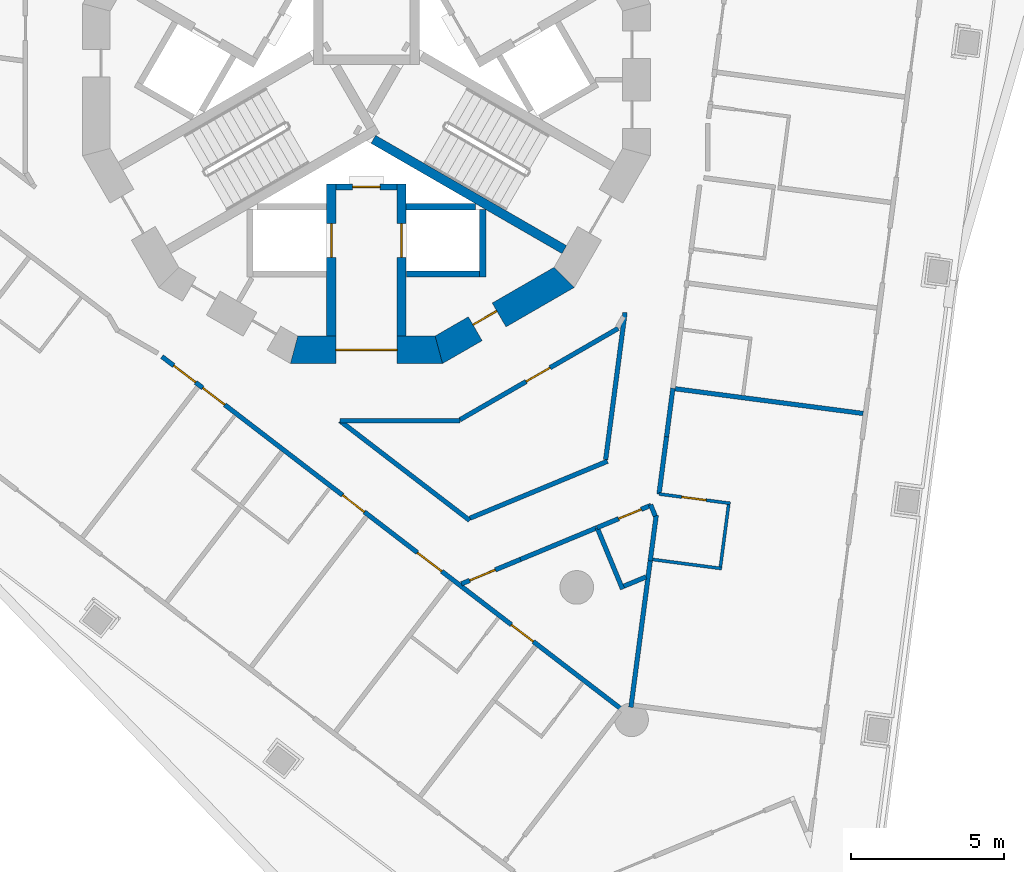
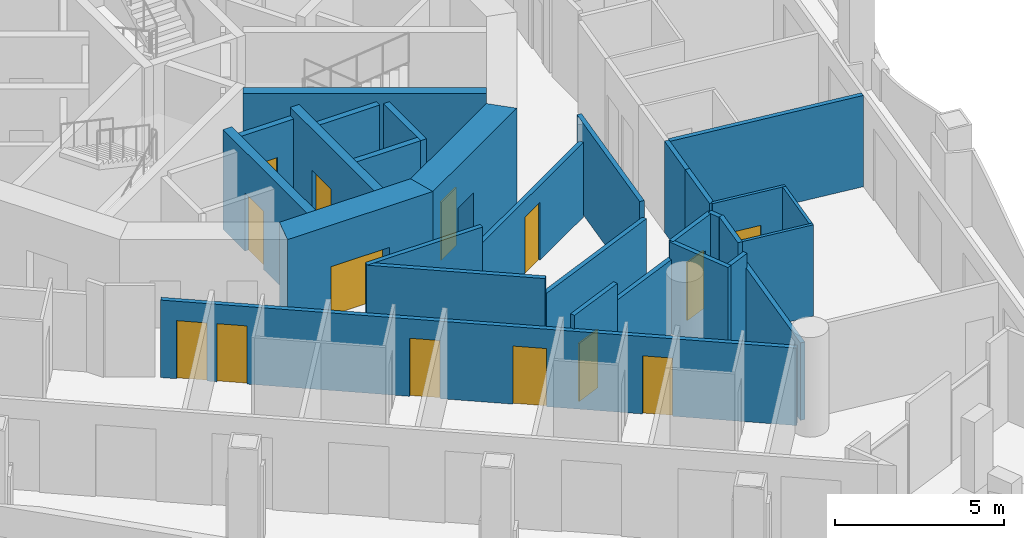
# One storey, part 4 of 19: 29 walls, 14 doors, 14 openings.
"""IFC4 building model written with IfcOpenShell, lengths in metres."""

from ifc_helpers import new_model, si_unit, direction, frame, frame_2d, origin, place, context, subcontext, project, spatial, polyline, rectangle, outline, extrude, material, layer, layer_set, type_object, element, fill, save


model = new_model("IFC4")

# Units and contexts
model_context = context("Model", 3, precision=1e-05, world=origin(), true_north=direction((0.0, 1.0)))
body_context = subcontext(model_context, "Body", "Model", "MODEL_VIEW")
ifc_project = project(units=[si_unit("LENGTHUNIT", "METRE"), si_unit("AREAUNIT", "SQUARE_METRE"), si_unit("VOLUMEUNIT", "CUBIC_METRE"), si_unit("PLANEANGLEUNIT", "RADIAN"), si_unit("MASSUNIT", "GRAM", prefix="KILO")], contexts=[model_context])

# Site, building, storey
site_placement = place(None, origin())
site = spatial("IfcSite", under=ifc_project, at=site_placement, CompositionType="ELEMENT")
building_placement = place(site_placement, origin())
building = spatial("IfcBuilding", under=site, at=building_placement, Name="Trine Commons Tower", CompositionType="ELEMENT")
storey_placement = place(building_placement, frame((0.0, 0.0, 124.199951171875)))
storey = spatial("IfcBuildingStorey", under=building, at=storey_placement, Name="L31", CompositionType="ELEMENT", Elevation=124.199951171875)

# Wall, opening, door
ifc_material_1 = material(Name="Fire-rated gypsum shaft wall system")
ifc_layer_1 = layer(ifc_material_1, 0.199951171875)
ifc_layer_set_1 = layer_set([ifc_layer_1], Name="Fire-rated gypsum shaft wall system")
wall_type_1 = type_object("IfcWallType", Name="Lobby end wall 200 mm, EI 120", PredefinedType="PARTITIONING", material=ifc_layer_set_1)
wall_1_placement = place(storey_placement, frame((79.0, 59.0, 0.0), z_axis=(0.0, 0.0, 1.0), x_axis=(1.0, 0.0, 0.0)))
wall_1 = element("IfcWall", 1, at=wall_1_placement, inside=storey, type_object=wall_type_1, Name="Lobby end wall L31", PredefinedType="PARTITIONING", context=body_context, shape_type="SweptSolid", body=[
    extrude(rectangle(XDim=2.0, YDim=0.199951171875, at=frame_2d((1.0, 0.0))), origin(), (0.0, 0.0, 1.0), 3.300048828125),
])
opening_1_placement = place(wall_1_placement, frame((0.550048828125, 0.0, 0.0)))
opening_1 = element("IfcOpeningElement", 2, at=opening_1_placement, cuts=wall_1, Name="Opening K10.09", PredefinedType="OPENING", context=body_context, shape_type="SweptSolid", body=[
    extrude(rectangle(XDim=0.89990234375, YDim=2.10009765625, at=frame_2d((0.449951171875, 1.050048828125))), frame((0.0, 0.10986328125, 0.0), z_axis=(0.0, -1.0, 0.0), x_axis=(1.0, 0.0, 0.0)), (0.0, 0.0, 1.0), 0.219970703125),
])
ifc_material_2 = material(Name="Steel door leaf, fire-rated", Category="steel")
door_type_1 = type_object("IfcDoorType", Name="Riser access door, single leaf 900 x 2100, FD60", OperationType="SINGLE_SWING_LEFT", PredefinedType="DOOR", material=ifc_material_2)
door_1_placement = place(opening_1_placement, frame((0.89990234375, 0.0, 0.0), z_axis=(0.0, 0.0, 1.0), x_axis=(-1.0, 0.0, 0.0)))
door_1 = element("IfcDoor", 3, at=door_1_placement, inside=storey, type_object=door_type_1, Name="Riser door, Communications riser L31", OperationType="SINGLE_SWING_RIGHT", OverallHeight=2.10009765625, OverallWidth=0.89990234375, PredefinedType="DOOR", context=body_context, shape_type="SweptSolid", body=[
    extrude(rectangle(XDim=0.89990234375, YDim=2.10009765625, at=frame_2d((0.449951171875, 1.050048828125))), frame((0.0, 0.02490234375, 0.0), z_axis=(0.0, -1.0, 0.0), x_axis=(1.0, 0.0, 0.0)), (0.0, 0.0, 1.0), 0.050048828125),
])
fill(opening_1, door_1)

ifc_material_3 = material(Name="Concrete C70/85", Category="concrete")
ifc_layer_2 = layer(ifc_material_3, 0.300048828125)
ifc_layer_set_2 = layer_set([ifc_layer_2], Name="Concrete C70/85")
wall_type_2 = type_object("IfcWallType", Name="RC shear wall 300 mm, C70/85", PredefinedType="SHEAR", material=ifc_layer_set_2)
wall_2_placement = place(storey_placement, frame((78.85009765625, 59.10009765625, 0.0), z_axis=(0.0, 0.0, 1.0), x_axis=(0.0, -1.0, 0.0)))
wall_2 = element("IfcWall", 4, at=wall_2_placement, inside=storey, type_object=wall_type_2, Name="Core cross wall SWB-03 L31", PredefinedType="SHEAR", context=body_context, shape_type="SweptSolid", body=[
    extrude(rectangle(XDim=4.97314453125, YDim=0.300048828125, at=frame_2d((2.486572265625, 0.0))), origin(), (0.0, 0.0, 1.0), 3.60009765625),
])
opening_2_placement = place(wall_2_placement, frame((1.300048828125, 0.0, 0.0)))
opening_2 = element("IfcOpeningElement", 5, at=opening_2_placement, cuts=wall_2, Name="Opening LD10", PredefinedType="OPENING", context=body_context, shape_type="SweptSolid", body=[
    extrude(rectangle(XDim=1.10009765625, YDim=2.10009765625, at=frame_2d((0.550048828125, 1.050048828125))), frame((0.0, 0.159912109375, 0.0), z_axis=(0.0, -1.0, 0.0), x_axis=(1.0, 0.0, 0.0)), (0.0, 0.0, 1.0), 0.320068359375),
])
ifc_material_4 = material(Name="Stainless steel sliding door leaves", Category="steel")
door_type_2 = type_object("IfcDoorType", Name="Lift landing door, centre-opening sliding 1100 x 2100, FD90", OperationType="DOUBLE_DOOR_SLIDING", PredefinedType="DOOR", material=ifc_material_4)
door_2_placement = place(opening_2_placement, origin())
door_2 = element("IfcDoor", 6, at=door_2_placement, inside=storey, type_object=door_type_2, Name="Lift landing door FF2 L31", OperationType="DOUBLE_DOOR_SLIDING", OverallHeight=2.10009765625, OverallWidth=1.10009765625, PredefinedType="DOOR", context=body_context, shape_type="SweptSolid", body=[
    extrude(rectangle(XDim=1.10009765625, YDim=2.10009765625, at=frame_2d((0.550048828125, 1.050048828125))), frame((0.0, 0.02490234375, 0.0), z_axis=(0.0, -1.0, 0.0), x_axis=(1.0, 0.0, 0.0)), (0.0, 0.0, 1.0), 0.050048828125),
])
fill(opening_2, door_2)

wall_3_placement = place(storey_placement, frame((81.14990234375, 59.10009765625, 0.0), z_axis=(0.0, 0.0, 1.0), x_axis=(0.0, -1.0, 0.0)))
wall_3 = element("IfcWall", 7, at=wall_3_placement, inside=storey, type_object=wall_type_2, Name="Core cross wall SWB-04 L31", PredefinedType="SHEAR", context=body_context, shape_type="SweptSolid", body=[
    extrude(rectangle(XDim=4.97314453125, YDim=0.300048828125, at=frame_2d((2.486572265625, 0.0))), origin(), (0.0, 0.0, 1.0), 3.60009765625),
])
opening_3_placement = place(wall_3_placement, frame((1.300048828125, 0.0, 0.0)))
opening_3 = element("IfcOpeningElement", 8, at=opening_3_placement, cuts=wall_3, Name="Opening LD9", PredefinedType="OPENING", context=body_context, shape_type="SweptSolid", body=[
    extrude(rectangle(XDim=1.10009765625, YDim=2.10009765625, at=frame_2d((0.550048828125, 1.050048828125))), frame((0.0, 0.159912109375, 0.0), z_axis=(0.0, -1.0, 0.0), x_axis=(1.0, 0.0, 0.0)), (0.0, 0.0, 1.0), 0.320068359375),
])
door_3_placement = place(opening_3_placement, origin())
door_3 = element("IfcDoor", 9, at=door_3_placement, inside=storey, type_object=door_type_2, Name="Lift landing door FF1 L31", OperationType="DOUBLE_DOOR_SLIDING", OverallHeight=2.10009765625, OverallWidth=1.10009765625, PredefinedType="DOOR", context=body_context, shape_type="SweptSolid", body=[
    extrude(rectangle(XDim=1.10009765625, YDim=2.10009765625, at=frame_2d((0.550048828125, 1.050048828125))), frame((0.0, 0.02490234375, 0.0), z_axis=(0.0, -1.0, 0.0), x_axis=(1.0, 0.0, 0.0)), (0.0, 0.0, 1.0), 0.050048828125),
])
fill(opening_3, door_3)

# Wall
wall_4_placement = place(storey_placement, frame((80.22509765625, 60.552001953125, 0.0), z_axis=(0.0, 0.0, 1.0), x_axis=(0.866028135082, -0.499995269223, 0.0)))
element("IfcWall", 10, at=wall_4_placement, inside=storey, type_object=wall_type_2, Name="Core cross wall SWB-13 L31", PredefinedType="SHEAR", context=body_context, shape_type="SweptSolid", body=[
    extrude(rectangle(XDim=7.2041015625, YDim=0.300048828125, at=frame_2d((3.60205078125, 0.0))), origin(), (0.0, 0.0, 1.0), 3.60009765625),
])

# Wall, opening, door
ifc_layer_3 = layer(ifc_material_3, 0.89990234375)
ifc_layer_set_3 = layer_set([ifc_layer_3], Name="Concrete C70/85")
wall_type_3 = type_object("IfcWallType", Name="RC shear wall 900 mm, C70/85", PredefinedType="SHEAR", material=ifc_layer_set_3)
wall_5_placement = place(storey_placement, frame((77.515380859375, 53.677001953125, 0.0), z_axis=(0.0, 0.0, 1.0), x_axis=(1.0, 0.0, 0.0)))
wall_5 = element("IfcWall", 11, at=wall_5_placement, inside=storey, type_object=wall_type_3, Name="Core wall CWD-10 L31", PredefinedType="SHEAR", context=body_context, shape_type="SweptSolid", body=[
    extrude(outline(polyline([(0.0, -0.449951171875), (4.969482421875, -0.449951171875), (4.728271484375, 0.449951171875), (0.2412109375, 0.449951171875), (0.0, -0.449951171875)])), origin(), (0.0, 0.0, 1.0), 3.60009765625),
])
opening_4_placement = place(wall_5_placement, frame((1.484619140625, 0.0, 0.0)))
opening_4 = element("IfcOpeningElement", 12, at=opening_4_placement, cuts=wall_5, Name="Opening K10.08", PredefinedType="OPENING", context=body_context, shape_type="SweptSolid", body=[
    extrude(rectangle(XDim=2.0, YDim=2.10009765625, at=frame_2d((1.0, 1.050048828125))), frame((0.0, 0.4599609375, 0.0), z_axis=(0.0, -1.0, 0.0), x_axis=(1.0, 0.0, 0.0)), (0.0, 0.0, 1.0), 0.919921875),
])
ifc_material_5 = material(Name="Steel door leaves, fire-rated", Category="steel")
door_type_3 = type_object("IfcDoorType", Name="Lobby door, double leaf 2000 x 2100, FD60", OperationType="DOUBLE_DOOR_SINGLE_SWING", PredefinedType="DOOR", material=ifc_material_5)
door_4_placement = place(opening_4_placement, origin())
door_4 = element("IfcDoor", 13, at=door_4_placement, inside=storey, type_object=door_type_3, Name="Lobby door, Service and firefighting lobby L31", OperationType="DOUBLE_DOOR_SINGLE_SWING", OverallHeight=2.10009765625, OverallWidth=2.0, PredefinedType="DOOR", context=body_context, shape_type="SweptSolid", body=[
    extrude(rectangle(XDim=2.0, YDim=2.10009765625, at=frame_2d((1.0, 1.050048828125))), frame((0.0, 0.02490234375, 0.0), z_axis=(0.0, -1.0, 0.0), x_axis=(1.0, 0.0, 0.0)), (0.0, 0.0, 1.0), 0.050048828125),
])
fill(opening_4, door_4)

wall_6_placement = place(storey_placement, frame((82.259765625, 53.61669921875, 0.0), z_axis=(0.0, 0.0, 1.0), x_axis=(0.866003133579, 0.500038571144, 0.0)))
wall_6 = element("IfcWall", 14, at=wall_6_placement, inside=storey, type_object=wall_type_3, Name="Core wall CWD-11 L31", PredefinedType="SHEAR", context=body_context, shape_type="SweptSolid", body=[
    extrude(outline(polyline([(0.0, -0.449951171875), (4.96923828125, -0.449951171875), (4.72802734375, 0.449951171875), (0.2412109375, 0.449951171875), (0.0, -0.449951171875)])), origin(), (0.0, 0.0, 1.0), 3.60009765625),
])
opening_5_placement = place(wall_6_placement, frame((1.4951171875, 0.0, 0.0)))
opening_5 = element("IfcOpeningElement", 15, at=opening_5_placement, cuts=wall_6, Name="Opening K10.18", PredefinedType="OPENING", context=body_context, shape_type="SweptSolid", body=[
    extrude(rectangle(XDim=0.89990234375, YDim=2.10009765625, at=frame_2d((0.449951171875, 1.050048828125))), frame((0.0, 0.4599609375, 0.0), z_axis=(0.0, -1.0, 0.0), x_axis=(1.0, 0.0, 0.0)), (0.0, 0.0, 1.0), 0.919921875),
])
door_type_4 = type_object("IfcDoorType", Name="Core room door, single leaf 900 x 2100, FD30S", OperationType="SINGLE_SWING_LEFT", PredefinedType="DOOR", material=ifc_material_2)
door_5_placement = place(opening_5_placement, origin())
door_5 = element("IfcDoor", 16, at=door_5_placement, inside=storey, type_object=door_type_4, Name="Door to Parcel store L31", OperationType="SINGLE_SWING_LEFT", OverallHeight=2.10009765625, OverallWidth=0.89990234375, PredefinedType="DOOR", context=body_context, shape_type="SweptSolid", body=[
    extrude(rectangle(XDim=0.89990234375, YDim=2.10009765625, at=frame_2d((0.449951171875, 1.050048828125))), frame((0.0, 0.1748046875, 0.0), z_axis=(0.0, -1.0, 0.0), x_axis=(1.0, 0.0, 0.0)), (0.0, 0.0, 1.0), 0.050048828125),
])
fill(opening_5, door_5)

# Walls
ifc_layer_4 = layer(ifc_material_1, 0.199951171875)
ifc_layer_set_4 = layer_set([ifc_layer_4], Name="Fire-rated gypsum shaft wall system")
wall_type_4 = type_object("IfcWallType", Name="Shaft wall 200 mm, EI 120", PredefinedType="PARTITIONING", material=ifc_layer_set_4)
wall_7_placement = place(storey_placement, frame((81.300048828125, 56.14990234375, 0.0), z_axis=(0.0, 0.0, 1.0), x_axis=(1.0, 0.0, 0.0)))
element("IfcWall", 17, at=wall_7_placement, inside=storey, type_object=wall_type_4, Name="Shaft wall L31", PredefinedType="PARTITIONING", context=body_context, shape_type="SweptSolid", body=[
    extrude(rectangle(XDim=2.39990234375, YDim=0.199951171875, at=frame_2d((1.199951171875, 0.0))), origin(), (0.0, 0.0, 1.0), 3.300048828125),
])
wall_8_placement = place(storey_placement, frame((81.300048828125, 58.35009765625, 0.0), z_axis=(0.0, 0.0, 1.0), x_axis=(1.0, 0.0, 0.0)))
element("IfcWall", 18, at=wall_8_placement, inside=storey, type_object=wall_type_4, Name="Shaft wall L31", PredefinedType="PARTITIONING", context=body_context, shape_type="SweptSolid", body=[
    extrude(rectangle(XDim=2.264892578125, YDim=0.199951171875, at=frame_2d((1.13232421875, 0.0))), origin(), (0.0, 0.0, 1.0), 3.300048828125),
])
wall_9_placement = place(storey_placement, frame((83.800048828125, 58.257080078125, 0.0), z_axis=(0.0, 0.0, 1.0), x_axis=(0.0, -1.0, 0.0)))
element("IfcWall", 19, at=wall_9_placement, inside=storey, type_object=wall_type_4, Name="Shaft wall L31", PredefinedType="PARTITIONING", context=body_context, shape_type="SweptSolid", body=[
    extrude(rectangle(XDim=2.20703125, YDim=0.199951171875, at=frame_2d((1.103515625, 0.0))), origin(), (0.0, 0.0, 1.0), 3.300048828125),
])

# Wall, openings, doors
ifc_material_6 = material(Name="Gypsum plasterboard on steel stud", Category="steel")
ifc_layer_5 = layer(ifc_material_6, 0.14990234375)
ifc_layer_set_5 = layer_set([ifc_layer_5], Name="Gypsum plasterboard on steel stud")
wall_type_5 = type_object("IfcWallType", Name="Unit and corridor wall 150 mm, EI 60", PredefinedType="PARTITIONING", material=ifc_layer_set_5)
wall_10_placement = place(storey_placement, frame((73.318115234375, 53.4541015625, 0.0), z_axis=(0.0, 0.0, 1.0), x_axis=(0.793337765411, -0.60878172605, 0.0)))
wall_10 = element("IfcWall", 20, at=wall_10_placement, inside=storey, type_object=wall_type_5, Name="Partition 049", PredefinedType="PARTITIONING", context=body_context, shape_type="SweptSolid", body=[
    extrude(rectangle(XDim=18.994873046875, YDim=0.14990234375, at=frame_2d((9.49755859375, 0.0))), origin(), (0.0, 0.0, 1.0), 2.800048828125),
])
opening_6_placement = place(wall_10_placement, frame((14.39306640625, 0.0, 0.0)))
opening_6 = element("IfcOpeningElement", 21, at=opening_6_placement, cuts=wall_10, Name="Opening D-4A24", PredefinedType="OPENING", context=body_context, shape_type="SweptSolid", body=[
    extrude(rectangle(XDim=0.89990234375, YDim=2.10009765625, at=frame_2d((0.449951171875, 1.050048828125))), frame((0.0, 0.0849609375, 0.0), z_axis=(0.0, -1.0, 0.0), x_axis=(1.0, 0.0, 0.0)), (0.0, 0.0, 1.0), 0.169921875),
])
opening_7_placement = place(wall_10_placement, frame((10.522705078125, 0.0, 0.0)))
opening_7 = element("IfcOpeningElement", 22, at=opening_7_placement, cuts=wall_10, Name="Opening D-4A25", PredefinedType="OPENING", context=body_context, shape_type="SweptSolid", body=[
    extrude(rectangle(XDim=1.0, YDim=2.10009765625, at=frame_2d((0.5, 1.050048828125))), frame((0.0, 0.0849609375, 0.0), z_axis=(0.0, -1.0, 0.0), x_axis=(1.0, 0.0, 0.0)), (0.0, 0.0, 1.0), 0.169921875),
])
opening_8_placement = place(wall_10_placement, frame((7.43798828125, 0.0, 0.0)))
opening_8 = element("IfcOpeningElement", 23, at=opening_8_placement, cuts=wall_10, Name="Opening D-4A26", PredefinedType="OPENING", context=body_context, shape_type="SweptSolid", body=[
    extrude(rectangle(XDim=0.89990234375, YDim=2.10009765625, at=frame_2d((0.449951171875, 1.050048828125))), frame((0.0, 0.0849609375, 0.0), z_axis=(0.0, -1.0, 0.0), x_axis=(1.0, 0.0, 0.0)), (0.0, 0.0, 1.0), 0.169921875),
])
opening_9_placement = place(wall_10_placement, frame((1.6826171875, 0.0, 0.0)))
opening_9 = element("IfcOpeningElement", 24, at=opening_9_placement, cuts=wall_10, Name="Opening D-4A27", PredefinedType="OPENING", context=body_context, shape_type="SweptSolid", body=[
    extrude(rectangle(XDim=0.89990234375, YDim=2.10009765625, at=frame_2d((0.449951171875, 1.050048828125))), frame((0.0, 0.0849609375, 0.0), z_axis=(0.0, -1.0, 0.0), x_axis=(1.0, 0.0, 0.0)), (0.0, 0.0, 1.0), 0.169921875),
])
opening_10_placement = place(wall_10_placement, frame((0.482666015625, 0.0, 0.0)))
opening_10 = element("IfcOpeningElement", 25, at=opening_10_placement, cuts=wall_10, Name="Opening D-4A28", PredefinedType="OPENING", context=body_context, shape_type="SweptSolid", body=[
    extrude(rectangle(XDim=0.89990234375, YDim=2.10009765625, at=frame_2d((0.449951171875, 1.050048828125))), frame((0.0, 0.0849609375, 0.0), z_axis=(0.0, -1.0, 0.0), x_axis=(1.0, 0.0, 0.0)), (0.0, 0.0, 1.0), 0.169921875),
])
ifc_material_7 = material(Name="Painted timber", Category="wood")
door_type_5 = type_object("IfcDoorType", Name="Amenity room door 1000 x 2100, NOT RATED", OperationType="NOTDEFINED", PredefinedType="DOOR", material=ifc_material_7)
door_6_placement = place(opening_7_placement, frame((1.0, 0.0, 0.0), z_axis=(0.0, 0.0, 1.0), x_axis=(-1.0, 0.0, 0.0)))
door_6 = element("IfcDoor", 26, at=door_6_placement, inside=storey, type_object=door_type_5, Name="Door D-4A25", OperationType="SINGLE_SWING_LEFT", OverallHeight=2.10009765625, OverallWidth=1.0, PredefinedType="DOOR", context=body_context, shape_type="SweptSolid", body=[
    extrude(rectangle(XDim=1.0, YDim=2.10009765625, at=frame_2d((0.5, 1.050048828125))), frame((0.0, 0.02490234375, 0.0), z_axis=(0.0, -1.0, 0.0), x_axis=(1.0, 0.0, 0.0)), (0.0, 0.0, 1.0), 0.050048828125),
])
fill(opening_7, door_6)
ifc_material_8 = material(Name="Timber fire door set", Category="wood")
door_type_6 = type_object("IfcDoorType", Name="Bedroom door 900 x 2100, FD30S", OperationType="NOTDEFINED", PredefinedType="DOOR", material=ifc_material_8)
door_7_placement = place(opening_6_placement, frame((0.89990234375, 0.0, 0.0), z_axis=(0.0, 0.0, 1.0), x_axis=(-1.0, 0.0, 0.0)))
door_7 = element("IfcDoor", 27, at=door_7_placement, inside=storey, type_object=door_type_6, Name="Door D-4A24", OperationType="SINGLE_SWING_LEFT", OverallHeight=2.10009765625, OverallWidth=0.89990234375, PredefinedType="DOOR", context=body_context, shape_type="SweptSolid", body=[
    extrude(rectangle(XDim=0.89990234375, YDim=2.10009765625, at=frame_2d((0.449951171875, 1.050048828125))), frame((0.0, 0.02490234375, 0.0), z_axis=(0.0, -1.0, 0.0), x_axis=(1.0, 0.0, 0.0)), (0.0, 0.0, 1.0), 0.050048828125),
])
fill(opening_6, door_7)
door_8_placement = place(opening_8_placement, frame((0.89990234375, 0.0, 0.0), z_axis=(0.0, 0.0, 1.0), x_axis=(-1.0, 0.0, 0.0)))
door_8 = element("IfcDoor", 28, at=door_8_placement, inside=storey, type_object=door_type_6, Name="Door D-4A26", OperationType="SINGLE_SWING_RIGHT", OverallHeight=2.10009765625, OverallWidth=0.89990234375, PredefinedType="DOOR", context=body_context, shape_type="SweptSolid", body=[
    extrude(rectangle(XDim=0.89990234375, YDim=2.10009765625, at=frame_2d((0.449951171875, 1.050048828125))), frame((0.0, 0.02490234375, 0.0), z_axis=(0.0, -1.0, 0.0), x_axis=(1.0, 0.0, 0.0)), (0.0, 0.0, 1.0), 0.050048828125),
])
fill(opening_8, door_8)
door_9_placement = place(opening_9_placement, frame((0.89990234375, 0.0, 0.0), z_axis=(0.0, 0.0, 1.0), x_axis=(-1.0, 0.0, 0.0)))
door_9 = element("IfcDoor", 29, at=door_9_placement, inside=storey, type_object=door_type_6, Name="Door D-4A27", OperationType="SINGLE_SWING_RIGHT", OverallHeight=2.10009765625, OverallWidth=0.89990234375, PredefinedType="DOOR", context=body_context, shape_type="SweptSolid", body=[
    extrude(rectangle(XDim=0.89990234375, YDim=2.10009765625, at=frame_2d((0.449951171875, 1.050048828125))), frame((0.0, 0.02490234375, 0.0), z_axis=(0.0, -1.0, 0.0), x_axis=(1.0, 0.0, 0.0)), (0.0, 0.0, 1.0), 0.050048828125),
])
fill(opening_9, door_9)
door_10_placement = place(opening_10_placement, frame((0.89990234375, 0.0, 0.0), z_axis=(0.0, 0.0, 1.0), x_axis=(-1.0, 0.0, 0.0)))
door_10 = element("IfcDoor", 30, at=door_10_placement, inside=storey, type_object=door_type_6, Name="Door D-4A28", OperationType="SINGLE_SWING_RIGHT", OverallHeight=2.10009765625, OverallWidth=0.89990234375, PredefinedType="DOOR", context=body_context, shape_type="SweptSolid", body=[
    extrude(rectangle(XDim=0.89990234375, YDim=2.10009765625, at=frame_2d((0.449951171875, 1.050048828125))), frame((0.0, 0.02490234375, 0.0), z_axis=(0.0, -1.0, 0.0), x_axis=(1.0, 0.0, 0.0)), (0.0, 0.0, 1.0), 0.050048828125),
])
fill(opening_10, door_10)

# Walls
wall_11_placement = place(storey_placement, frame((79.134033203125, 51.35205078125, 0.0), z_axis=(0.0, 0.0, 1.0), x_axis=(1.0, 0.0, 0.0)))
element("IfcWall", 31, at=wall_11_placement, inside=storey, type_object=wall_type_5, Name="Partition 062", PredefinedType="PARTITIONING", context=body_context, shape_type="SweptSolid", body=[
    extrude(rectangle(XDim=3.927978515625, YDim=0.14990234375, at=frame_2d((1.9638671875, 0.0))), origin(), (0.0, 0.0, 1.0), 3.300048828125),
])
wall_12_placement = place(storey_placement, frame((79.137939453125, 51.35205078125, 0.0), z_axis=(0.0, 0.0, 1.0), x_axis=(0.793274409151, -0.608864280268, 0.0)))
element("IfcWall", 32, at=wall_12_placement, inside=storey, type_object=wall_type_5, Name="Partition 063", PredefinedType="PARTITIONING", context=body_context, shape_type="SweptSolid", body=[
    extrude(rectangle(XDim=5.340576171875, YDim=0.14990234375, at=frame_2d((2.67041015625, 0.0))), origin(), (0.0, 0.0, 1.0), 3.300048828125),
])

# Wall, opening, door
wall_13_placement = place(storey_placement, frame((83.052001953125, 51.389404296875, 0.0), z_axis=(0.0, 0.0, 1.0), x_axis=(0.866039280689, 0.499975963725, 0.0)))
wall_13 = element("IfcWall", 33, at=wall_13_placement, inside=storey, type_object=wall_type_5, Name="Partition 070", PredefinedType="PARTITIONING", context=body_context, shape_type="SweptSolid", body=[
    extrude(rectangle(XDim=5.974365234375, YDim=0.14990234375, at=frame_2d((2.9873046875, 0.0))), origin(), (0.0, 0.0, 1.0), 2.699951171875),
])
opening_11_placement = place(wall_13_placement, frame((2.499755859375, 0.0, 0.0)))
opening_11 = element("IfcOpeningElement", 34, at=opening_11_placement, cuts=wall_13, Name="Opening D-4A32", PredefinedType="OPENING", context=body_context, shape_type="SweptSolid", body=[
    extrude(rectangle(XDim=0.89990234375, YDim=2.10009765625, at=frame_2d((0.449951171875, 1.050048828125))), frame((0.0, 0.0849609375, 0.0), z_axis=(0.0, -1.0, 0.0), x_axis=(1.0, 0.0, 0.0)), (0.0, 0.0, 1.0), 0.169921875),
])
door_type_7 = type_object("IfcDoorType", Name="Service door 900 x 2100, FD30S", OperationType="NOTDEFINED", PredefinedType="DOOR", material=ifc_material_8)
door_11_placement = place(opening_11_placement, frame((0.89990234375, 0.0, 0.0), z_axis=(0.0, 0.0, 1.0), x_axis=(-1.0, 0.0, 0.0)))
door_11 = element("IfcDoor", 35, at=door_11_placement, inside=storey, type_object=door_type_7, Name="Door D-4A32", OperationType="SINGLE_SWING_RIGHT", OverallHeight=2.10009765625, OverallWidth=0.89990234375, PredefinedType="DOOR", context=body_context, shape_type="SweptSolid", body=[
    extrude(rectangle(XDim=0.89990234375, YDim=2.10009765625, at=frame_2d((0.449951171875, 1.050048828125))), frame((0.0, 0.02490234375, 0.0), z_axis=(0.0, -1.0, 0.0), x_axis=(1.0, 0.0, 0.0)), (0.0, 0.0, 1.0), 0.050048828125),
])
fill(opening_11, door_11)

wall_14_placement = place(storey_placement, frame((83.102294921875, 46.02880859375, 0.0), z_axis=(0.0, 0.0, 1.0), x_axis=(0.923986937012, 0.382424031973, 0.0)))
wall_14 = element("IfcWall", 36, at=wall_14_placement, inside=storey, type_object=wall_type_5, Name="Partition 072", PredefinedType="PARTITIONING", context=body_context, shape_type="SweptSolid", body=[
    extrude(rectangle(XDim=2.089599609375, YDim=0.14990234375, at=frame_2d((1.044921875, 0.0))), origin(), (0.0, 0.0, 1.0), 3.300048828125),
])
opening_12_placement = place(wall_14_placement, frame((0.2978515625, 0.0, 0.0)))
opening_12 = element("IfcOpeningElement", 37, at=opening_12_placement, cuts=wall_14, Name="Opening D-4A02", PredefinedType="OPENING", context=body_context, shape_type="SweptSolid", body=[
    extrude(rectangle(XDim=0.89990234375, YDim=2.10009765625, at=frame_2d((0.449951171875, 1.050048828125))), frame((0.0, 0.0849609375, 0.0), z_axis=(0.0, -1.0, 0.0), x_axis=(1.0, 0.0, 0.0)), (0.0, 0.0, 1.0), 0.169921875),
])
door_type_8 = type_object("IfcDoorType", Name="Cluster entrance door 900 x 2100, FD30S", OperationType="NOTDEFINED", PredefinedType="DOOR", material=ifc_material_8)
door_12_placement = place(opening_12_placement, frame((0.89990234375, 0.0, 0.0), z_axis=(0.0, 0.0, 1.0), x_axis=(-1.0, 0.0, 0.0)))
door_12 = element("IfcDoor", 38, at=door_12_placement, inside=storey, type_object=door_type_8, Name="Door D-4A02", OperationType="SINGLE_SWING_RIGHT", OverallHeight=2.10009765625, OverallWidth=0.89990234375, PredefinedType="DOOR", context=body_context, shape_type="SweptSolid", body=[
    extrude(rectangle(XDim=0.89990234375, YDim=2.10009765625, at=frame_2d((0.449951171875, 1.050048828125))), frame((0.0, 0.02490234375, 0.0), z_axis=(0.0, -1.0, 0.0), x_axis=(1.0, 0.0, 0.0)), (0.0, 0.0, 1.0), 0.050048828125),
])
fill(opening_12, door_12)

# Walls
wall_15_placement = place(storey_placement, frame((83.38427734375, 48.1748046875, 0.0), z_axis=(0.0, 0.0, 1.0), x_axis=(0.923876009177, 0.382691938335, 0.0)))
element("IfcWall", 39, at=wall_15_placement, inside=storey, type_object=wall_type_5, Name="Partition 073", PredefinedType="PARTITIONING", context=body_context, shape_type="SweptSolid", body=[
    extrude(rectangle(XDim=4.85986328125, YDim=0.14990234375, at=frame_2d((2.429931640625, 0.0))), origin(), (0.0, 0.0, 1.0), 2.699951171875),
])
wall_16_placement = place(storey_placement, frame((85.032958984375, 46.827880859375, 0.0), z_axis=(0.0, 0.0, 1.0), x_axis=(0.923769467477, 0.382949044857, 0.0)))
element("IfcWall", 40, at=wall_16_placement, inside=storey, type_object=wall_type_5, Name="Partition 078", PredefinedType="PARTITIONING", context=body_context, shape_type="SweptSolid", body=[
    extrude(rectangle(XDim=2.695556640625, YDim=0.14990234375, at=frame_2d((1.34765625, 0.0))), origin(), (0.0, 0.0, 1.0), 2.699951171875),
])

# Wall, opening, door
wall_17_placement = place(storey_placement, frame((87.532958984375, 47.864013671875, 0.0), z_axis=(0.0, 0.0, 1.0), x_axis=(0.923851437131, 0.382751253571, 0.0)))
wall_17 = element("IfcWall", 41, at=wall_17_placement, inside=storey, type_object=wall_type_5, Name="Partition 084", PredefinedType="PARTITIONING", context=body_context, shape_type="SweptSolid", body=[
    extrude(rectangle(XDim=1.9072265625, YDim=0.14990234375, at=frame_2d((0.95361328125, 0.0))), origin(), (0.0, 0.0, 1.0), 3.300048828125),
])
opening_13_placement = place(wall_17_placement, frame((0.764892578125, 0.0, 0.0)))
opening_13 = element("IfcOpeningElement", 42, at=opening_13_placement, cuts=wall_17, Name="Opening D-4A04", PredefinedType="OPENING", context=body_context, shape_type="SweptSolid", body=[
    extrude(rectangle(XDim=0.800048828125, YDim=2.10009765625, at=frame_2d((0.39990234375, 1.050048828125))), frame((0.0, 0.0849609375, 0.0), z_axis=(0.0, -1.0, 0.0), x_axis=(1.0, 0.0, 0.0)), (0.0, 0.0, 1.0), 0.169921875),
])
door_type_9 = type_object("IfcDoorType", Name="Toilet door 800 x 2100, NOT RATED", OperationType="NOTDEFINED", PredefinedType="DOOR", material=ifc_material_7)
door_13_placement = place(opening_13_placement, frame((0.800048828125, 0.0, 0.0), z_axis=(0.0, 0.0, 1.0), x_axis=(-1.0, 0.0, 0.0)))
door_13 = element("IfcDoor", 43, at=door_13_placement, inside=storey, type_object=door_type_9, Name="Door D-4A04", OperationType="SINGLE_SWING_LEFT", OverallHeight=2.10009765625, OverallWidth=0.800048828125, PredefinedType="DOOR", context=body_context, shape_type="SweptSolid", body=[
    extrude(rectangle(XDim=0.800048828125, YDim=2.10009765625, at=frame_2d((0.39990234375, 1.050048828125))), frame((0.0, 0.02490234375, 0.0), z_axis=(0.0, -1.0, 0.0), x_axis=(1.0, 0.0, 0.0)), (0.0, 0.0, 1.0), 0.050048828125),
])
fill(opening_13, door_13)

# Walls
wall_18_placement = place(storey_placement, frame((87.537109375, 47.864990234375, 0.0), z_axis=(0.0, 0.0, 1.0), x_axis=(0.382398068784, -0.923997682351, 0.0)))
element("IfcWall", 44, at=wall_18_placement, inside=storey, type_object=wall_type_5, Name="Partition 085", PredefinedType="PARTITIONING", context=body_context, shape_type="SweptSolid", body=[
    extrude(rectangle(XDim=2.174560546875, YDim=0.14990234375, at=frame_2d((1.08740234375, 0.0))), origin(), (0.0, 0.0, 1.0), 3.300048828125),
])
wall_19_placement = place(storey_placement, frame((87.814697265625, 50.080322265625, 0.0), z_axis=(0.0, 0.0, 1.0), x_axis=(0.130546835993, 0.991442143351, 0.0)))
element("IfcWall", 45, at=wall_19_placement, inside=storey, type_object=wall_type_5, Name="Partition 087", PredefinedType="PARTITIONING", context=body_context, shape_type="SweptSolid", body=[
    extrude(rectangle(XDim=4.856689453125, YDim=0.14990234375, at=frame_2d((2.42822265625, 0.0))), origin(), (0.0, 0.0, 1.0), 3.300048828125),
])
wall_20_placement = place(storey_placement, frame((88.4091796875, 45.95361328125, 0.0), z_axis=(0.0, 0.0, 1.0), x_axis=(0.92369931044, 0.383118237484, 0.0)))
element("IfcWall", 46, at=wall_20_placement, inside=storey, type_object=wall_type_5, Name="Partition 093", PredefinedType="PARTITIONING", context=body_context, shape_type="SweptSolid", body=[
    extrude(rectangle(XDim=0.78759765625, YDim=0.14990234375, at=frame_2d((0.393798828125, 0.0))), origin(), (0.0, 0.0, 1.0), 3.300048828125),
])
wall_21_placement = place(storey_placement, frame((88.64111328125, 41.99560546875, 0.0), z_axis=(0.0, 0.0, 1.0), x_axis=(0.130614848927, 0.991433185464, 0.0)))
element("IfcWall", 47, at=wall_21_placement, inside=storey, type_object=wall_type_5, Name="Partition 094", PredefinedType="PARTITIONING", context=body_context, shape_type="SweptSolid", body=[
    extrude(rectangle(XDim=4.884033203125, YDim=0.14990234375, at=frame_2d((2.44189453125, 0.0))), origin(), (0.0, 0.0, 1.0), 2.800048828125),
])
wall_22_placement = place(storey_placement, frame((89.271484375, 46.780517578125, 0.0), z_axis=(0.0, 0.0, 1.0), x_axis=(0.130968577384, 0.991386519849, 0.0)))
element("IfcWall", 48, at=wall_22_placement, inside=storey, type_object=wall_type_5, Name="Partition 097", PredefinedType="PARTITIONING", context=body_context, shape_type="SweptSolid", body=[
    extrude(rectangle(XDim=1.498779296875, YDim=0.14990234375, at=frame_2d((0.74951171875, 0.0))), origin(), (0.0, 0.0, 1.0), 3.300048828125),
])
wall_23_placement = place(storey_placement, frame((89.283935546875, 48.611328125, 0.0), z_axis=(0.0, 0.0, 1.0), x_axis=(0.383358021714, -0.923599819829, 0.0)))
element("IfcWall", 49, at=wall_23_placement, inside=storey, type_object=wall_type_5, Name="Partition 099", PredefinedType="PARTITIONING", context=body_context, shape_type="SweptSolid", body=[
    extrude(rectangle(XDim=0.39990234375, YDim=0.14990234375, at=frame_2d((0.199951171875, 0.0))), origin(), (0.0, 0.0, 1.0), 3.300048828125),
])
wall_24_placement = place(storey_placement, frame((89.55908203125, 48.9609375, 0.0), z_axis=(0.0, 0.0, 1.0), x_axis=(0.130073589494, 0.99150434256, 0.0)))
element("IfcWall", 50, at=wall_24_placement, inside=storey, type_object=wall_type_5, Name="Partition 100", PredefinedType="PARTITIONING", context=body_context, shape_type="SweptSolid", body=[
    extrude(rectangle(XDim=1.89013671875, YDim=0.14990234375, at=frame_2d((0.945068359375, 0.0))), origin(), (0.0, 0.0, 1.0), 3.300048828125),
])
wall_25_placement = place(storey_placement, frame((89.804931640625, 50.8349609375, 0.0), z_axis=(0.0, 0.0, 1.0), x_axis=(0.13035952234, 0.991466789628, 0.0)))
element("IfcWall", 51, at=wall_25_placement, inside=storey, type_object=wall_type_5, Name="Partition 103", PredefinedType="PARTITIONING", context=body_context, shape_type="SweptSolid", body=[
    extrude(rectangle(XDim=1.595703125, YDim=0.14990234375, at=frame_2d((0.7978515625, 0.0))), origin(), (0.0, 0.0, 1.0), 3.300048828125),
])
wall_26_placement = place(storey_placement, frame((90.08740234375, 52.4033203125, 0.0), z_axis=(0.0, 0.0, 1.0), x_axis=(0.991452282991, -0.130469807049, 0.0)))
element("IfcWall", 52, at=wall_26_placement, inside=storey, type_object=wall_type_5, Name="Partition 105", PredefinedType="PARTITIONING", context=body_context, shape_type="SweptSolid", body=[
    extrude(rectangle(XDim=6.19384765625, YDim=0.14990234375, at=frame_2d((3.096923828125, 0.0))), origin(), (0.0, 0.0, 1.0), 3.300048828125),
])
ifc_layer_6 = layer(ifc_material_6, 0.10009765625)
ifc_layer_set_6 = layer_set([ifc_layer_6], Name="Gypsum plasterboard on steel stud")
wall_type_6 = type_object("IfcWallType", Name="Unit partition 100 mm, no rating", PredefinedType="PARTITIONING", material=ifc_layer_set_6)
wall_27_placement = place(storey_placement, frame((89.353515625, 46.82421875, 0.0), z_axis=(0.0, 0.0, 1.0), x_axis=(0.991459774706, -0.130412864162, 0.0)))
element("IfcWall", 53, at=wall_27_placement, inside=storey, type_object=wall_type_6, Name="Partition 098", PredefinedType="PARTITIONING", context=body_context, shape_type="SweptSolid", body=[
    extrude(rectangle(XDim=2.274658203125, YDim=0.10009765625, at=frame_2d((1.13720703125, 0.0))), origin(), (0.0, 0.0, 1.0), 3.300048828125),
])

# Wall, opening, door
wall_28_placement = place(storey_placement, frame((89.55908203125, 48.965087890625, 0.0), z_axis=(0.0, 0.0, 1.0), x_axis=(0.991455002545, -0.130449139241, 0.0)))
wall_28 = element("IfcWall", 54, at=wall_28_placement, inside=storey, type_object=wall_type_6, Name="Partition 101", PredefinedType="PARTITIONING", context=body_context, shape_type="SweptSolid", body=[
    extrude(rectangle(XDim=2.3505859375, YDim=0.10009765625, at=frame_2d((1.17529296875, 0.0))), origin(), (0.0, 0.0, 1.0), 3.300048828125),
])
opening_14_placement = place(wall_28_placement, frame((0.750244140625, 0.0, 0.0)))
opening_14 = element("IfcOpeningElement", 55, at=opening_14_placement, cuts=wall_28, Name="Opening D-4A50", PredefinedType="OPENING", context=body_context, shape_type="SweptSolid", body=[
    extrude(rectangle(XDim=0.800048828125, YDim=2.10009765625, at=frame_2d((0.39990234375, 1.050048828125))), frame((0.0, 0.06005859375, 0.0), z_axis=(0.0, -1.0, 0.0), x_axis=(1.0, 0.0, 0.0)), (0.0, 0.0, 1.0), 0.1201171875),
])
door_type_10 = type_object("IfcDoorType", Name="Internal door 800 x 2100, NOT RATED", OperationType="NOTDEFINED", PredefinedType="DOOR", material=ifc_material_7)
door_14_placement = place(opening_14_placement, origin())
door_14 = element("IfcDoor", 56, at=door_14_placement, inside=storey, type_object=door_type_10, Name="Door D-4A50", OperationType="SINGLE_SWING_LEFT", OverallHeight=2.10009765625, OverallWidth=0.800048828125, PredefinedType="DOOR", context=body_context, shape_type="SweptSolid", body=[
    extrude(rectangle(XDim=0.800048828125, YDim=2.10009765625, at=frame_2d((0.39990234375, 1.050048828125))), frame((0.0, 0.02490234375, 0.0), z_axis=(0.0, -1.0, 0.0), x_axis=(1.0, 0.0, 0.0)), (0.0, 0.0, 1.0), 0.050048828125),
])
fill(opening_14, door_14)

# Wall
wall_29_placement = place(storey_placement, frame((91.5654296875, 46.58349609375, 0.0), z_axis=(0.0, 0.0, 1.0), x_axis=(0.130790367743, 0.9914100462, 0.0)))
element("IfcWall", 57, at=wall_29_placement, inside=storey, type_object=wall_type_6, Name="Partition 122", PredefinedType="PARTITIONING", context=body_context, shape_type="SweptSolid", body=[
    extrude(rectangle(XDim=2.049560546875, YDim=0.10009765625, at=frame_2d((1.02490234375, 0.0))), origin(), (0.0, 0.0, 1.0), 3.300048828125),
])

save(model, "model.ifc")
